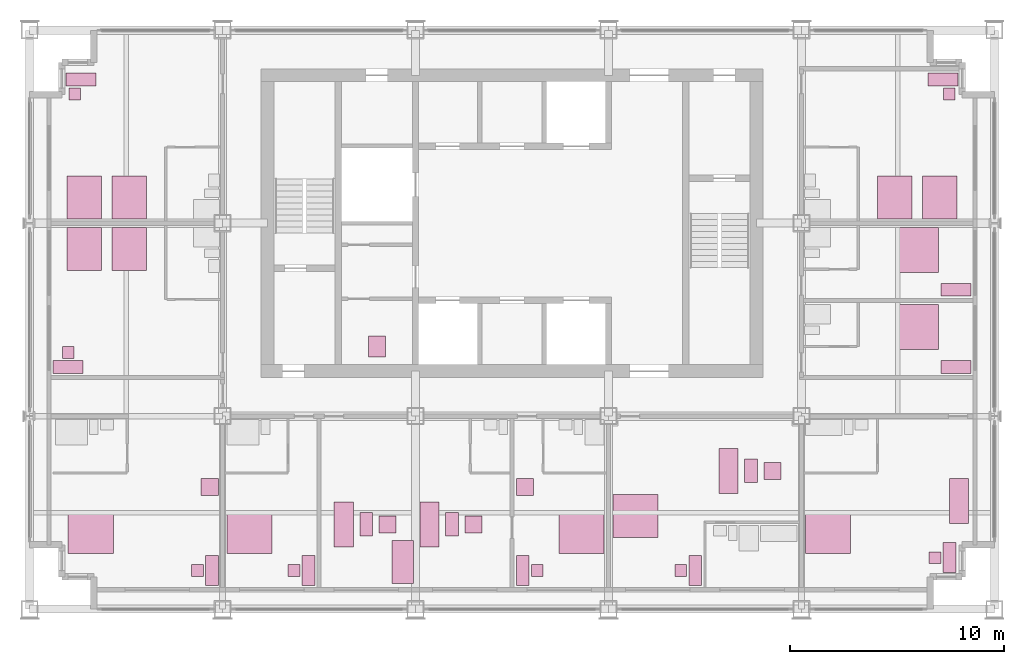
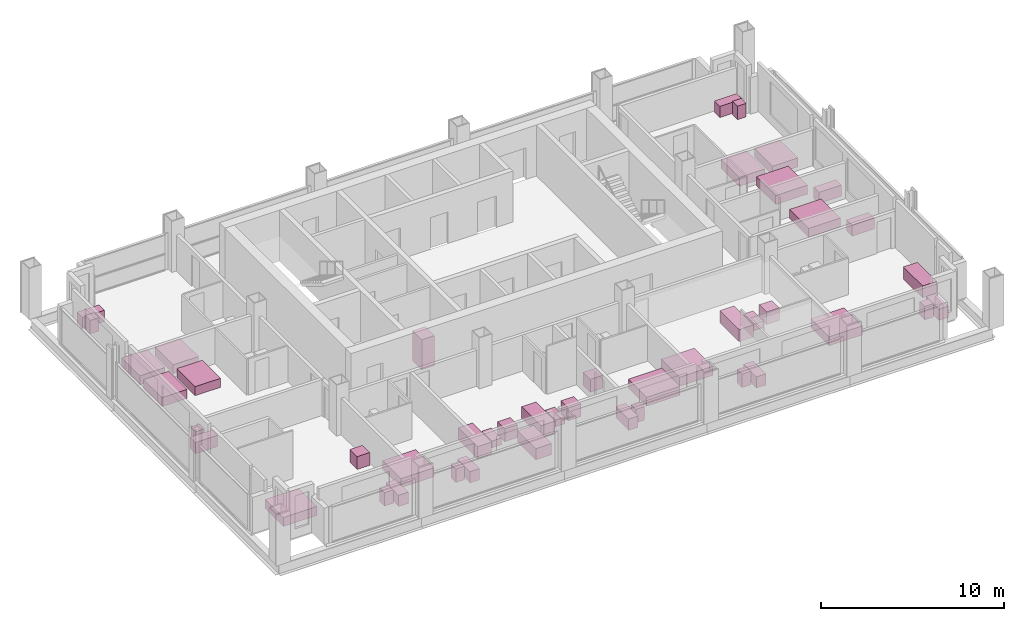
# One storey, part 13 of 13: 45 furniture elements.
"""IFC4 building model written with IfcOpenShell, lengths in metres."""

from ifc_helpers import new_model, si_unit, direction, frame, origin, origin_2d, place, context, subcontext, project, spatial, rectangle, extrude, element, save


model = new_model("IFC4")

# Units and contexts
model_context = context("Model", 3, precision=1e-05, world=origin(), true_north=direction((0.0, 1.0)))
body_context = subcontext(model_context, "Body", "Model", "MODEL_VIEW")
ifc_project = project(units=[si_unit("LENGTHUNIT", "METRE"), si_unit("AREAUNIT", "SQUARE_METRE"), si_unit("VOLUMEUNIT", "CUBIC_METRE"), si_unit("PLANEANGLEUNIT", "RADIAN"), si_unit("MASSUNIT", "GRAM", prefix="KILO")], contexts=[model_context])

# Site, building, storey
site_placement = place(None, origin())
site = spatial("IfcSite", under=ifc_project, at=site_placement, CompositionType="ELEMENT")
building_placement = place(site_placement, origin())
building = spatial("IfcBuilding", under=site, at=building_placement, Name="Loomwork Tower", CompositionType="ELEMENT")
storey_placement = place(building_placement, frame((0.0, 0.0, 197.800048828125)))
storey = spatial("IfcBuildingStorey", under=building, at=storey_placement, Name="L54", CompositionType="ELEMENT", Elevation=197.800048828125)

# Furniture
furniture_1_placement = place(storey_placement, frame((2.85009765625, 3.60009765625, 0.0), z_axis=(0.0, 0.0, 1.0), x_axis=(1.0, 0.0, 0.0)))
element("IfcFurniture", 1, at=furniture_1_placement, inside=storey, Name="King bed L54", PredefinedType="BED", context=body_context, shape_type="SweptSolid", body=[
    extrude(rectangle(XDim=2.10009765625, YDim=2.0, at=origin_2d()), origin(), (0.0, 0.0, 1.0), 0.60009765625),
])
furniture_2_placement = place(storey_placement, frame((8.5, 1.800048828125, 0.0), z_axis=(0.0, 0.0, 1.0), x_axis=(1.0, 0.0, 0.0)))
element("IfcFurniture", 2, at=furniture_2_placement, inside=storey, Name="Writing desk L54", PredefinedType="DESK", context=body_context, shape_type="SweptSolid", body=[
    extrude(rectangle(XDim=0.60009765625, YDim=1.39990234375, at=origin_2d()), origin(), (0.0, 0.0, 1.0), 0.75),
])
furniture_3_placement = place(storey_placement, frame((7.824951171875, 1.800048828125, 0.0), z_axis=(0.0, 0.0, 1.0), x_axis=(1.0, 0.0, 0.0)))
element("IfcFurniture", 3, at=furniture_3_placement, inside=storey, Name="Desk chair L54", PredefinedType="CHAIR", context=body_context, shape_type="SweptSolid", body=[
    extrude(rectangle(XDim=0.550048828125, YDim=0.550048828125, at=origin_2d()), origin(), (0.0, 0.0, 1.0), 0.89990234375),
])
furniture_4_placement = place(storey_placement, frame((8.39990234375, 5.699951171875, 0.0), z_axis=(0.0, 0.0, 1.0), x_axis=(1.0, 0.0, 0.0)))
element("IfcFurniture", 4, at=furniture_4_placement, inside=storey, Name="Lounge armchair L54", PredefinedType="CHAIR", context=body_context, shape_type="SweptSolid", body=[
    extrude(rectangle(XDim=0.800048828125, YDim=0.800048828125, at=origin_2d()), origin(), (0.0, 0.0, 1.0), 0.85009765625),
])
furniture_5_placement = place(storey_placement, frame((10.25, 3.60009765625, 0.0), z_axis=(0.0, 0.0, 1.0), x_axis=(1.0, 0.0, 0.0)))
element("IfcFurniture", 5, at=furniture_5_placement, inside=storey, Name="King bed L54", PredefinedType="BED", context=body_context, shape_type="SweptSolid", body=[
    extrude(rectangle(XDim=2.10009765625, YDim=2.0, at=origin_2d()), origin(), (0.0, 0.0, 1.0), 0.60009765625),
])
furniture_6_placement = place(storey_placement, frame((13.0, 1.800048828125, 0.0), z_axis=(0.0, 0.0, 1.0), x_axis=(1.0, 0.0, 0.0)))
element("IfcFurniture", 6, at=furniture_6_placement, inside=storey, Name="Writing desk L54", PredefinedType="DESK", context=body_context, shape_type="SweptSolid", body=[
    extrude(rectangle(XDim=0.60009765625, YDim=1.39990234375, at=origin_2d()), origin(), (0.0, 0.0, 1.0), 0.75),
])
furniture_7_placement = place(storey_placement, frame((12.324951171875, 1.800048828125, 0.0), z_axis=(0.0, 0.0, 1.0), x_axis=(1.0, 0.0, 0.0)))
element("IfcFurniture", 7, at=furniture_7_placement, inside=storey, Name="Desk chair L54", PredefinedType="CHAIR", context=body_context, shape_type="SweptSolid", body=[
    extrude(rectangle(XDim=0.550048828125, YDim=0.550048828125, at=origin_2d()), origin(), (0.0, 0.0, 1.0), 0.89990234375),
])
furniture_8_placement = place(storey_placement, frame((14.64990234375, 3.949951171875, 0.0), z_axis=(0.0, 0.0, 1.0), x_axis=(1.0, 0.0, 0.0)))
element("IfcFurniture", 8, at=furniture_8_placement, inside=storey, Name="Sofa L54", PredefinedType="SOFA", context=body_context, shape_type="SweptSolid", body=[
    extrude(rectangle(XDim=0.89990234375, YDim=2.10009765625, at=origin_2d()), origin(), (0.0, 0.0, 1.0), 0.800048828125),
])
furniture_9_placement = place(storey_placement, frame((15.699951171875, 3.949951171875, 0.0), z_axis=(0.0, 0.0, 1.0), x_axis=(1.0, 0.0, 0.0)))
element("IfcFurniture", 9, at=furniture_9_placement, inside=storey, Name="Coffee table L54", PredefinedType="TABLE", context=body_context, shape_type="SweptSolid", body=[
    extrude(rectangle(XDim=0.60009765625, YDim=1.10009765625, at=origin_2d()), origin(), (0.0, 0.0, 1.0), 0.449951171875),
])
furniture_10_placement = place(storey_placement, frame((16.699951171875, 3.949951171875, 0.0), z_axis=(0.0, 0.0, 1.0), x_axis=(1.0, 0.0, 0.0)))
element("IfcFurniture", 10, at=furniture_10_placement, inside=storey, Name="Lounge armchair L54", PredefinedType="CHAIR", context=body_context, shape_type="SweptSolid", body=[
    extrude(rectangle(XDim=0.800048828125, YDim=0.800048828125, at=origin_2d()), origin(), (0.0, 0.0, 1.0), 0.85009765625),
])
furniture_11_placement = place(storey_placement, frame((18.64990234375, 3.949951171875, 0.0), z_axis=(0.0, 0.0, 1.0), x_axis=(1.0, 0.0, 0.0)))
element("IfcFurniture", 11, at=furniture_11_placement, inside=storey, Name="Sofa L54", PredefinedType="SOFA", context=body_context, shape_type="SweptSolid", body=[
    extrude(rectangle(XDim=0.89990234375, YDim=2.10009765625, at=origin_2d()), origin(), (0.0, 0.0, 1.0), 0.800048828125),
])
furniture_12_placement = place(storey_placement, frame((19.699951171875, 3.949951171875, 0.0), z_axis=(0.0, 0.0, 1.0), x_axis=(1.0, 0.0, 0.0)))
element("IfcFurniture", 12, at=furniture_12_placement, inside=storey, Name="Coffee table L54", PredefinedType="TABLE", context=body_context, shape_type="SweptSolid", body=[
    extrude(rectangle(XDim=0.60009765625, YDim=1.10009765625, at=origin_2d()), origin(), (0.0, 0.0, 1.0), 0.449951171875),
])
furniture_13_placement = place(storey_placement, frame((20.699951171875, 3.949951171875, 0.0), z_axis=(0.0, 0.0, 1.0), x_axis=(1.0, 0.0, 0.0)))
element("IfcFurniture", 13, at=furniture_13_placement, inside=storey, Name="Lounge armchair L54", PredefinedType="CHAIR", context=body_context, shape_type="SweptSolid", body=[
    extrude(rectangle(XDim=0.800048828125, YDim=0.800048828125, at=origin_2d()), origin(), (0.0, 0.0, 1.0), 0.85009765625),
])
furniture_14_placement = place(storey_placement, frame((17.39990234375, 2.199951171875, 0.0), z_axis=(0.0, 0.0, 1.0), x_axis=(1.0, 0.0, 0.0)))
element("IfcFurniture", 14, at=furniture_14_placement, inside=storey, Name="Dining table L54", PredefinedType="TABLE", context=body_context, shape_type="SweptSolid", body=[
    extrude(rectangle(XDim=1.0, YDim=2.0, at=origin_2d()), origin(), (0.0, 0.0, 1.0), 0.75),
])
furniture_15_placement = place(storey_placement, frame((25.75, 3.60009765625, 0.0), z_axis=(0.0, 0.0, 1.0), x_axis=(1.0, 0.0, 0.0)))
element("IfcFurniture", 15, at=furniture_15_placement, inside=storey, Name="King bed L54", PredefinedType="BED", context=body_context, shape_type="SweptSolid", body=[
    extrude(rectangle(XDim=2.10009765625, YDim=2.0, at=origin_2d()), origin(), (0.0, 0.0, 1.0), 0.60009765625),
])
furniture_16_placement = place(storey_placement, frame((23.0, 1.800048828125, 0.0), z_axis=(0.0, 0.0, 1.0), x_axis=(1.0, 0.0, 0.0)))
element("IfcFurniture", 16, at=furniture_16_placement, inside=storey, Name="Writing desk L54", PredefinedType="DESK", context=body_context, shape_type="SweptSolid", body=[
    extrude(rectangle(XDim=0.60009765625, YDim=1.39990234375, at=origin_2d()), origin(), (0.0, 0.0, 1.0), 0.75),
])
furniture_17_placement = place(storey_placement, frame((23.675048828125, 1.800048828125, 0.0), z_axis=(0.0, 0.0, 1.0), x_axis=(1.0, 0.0, 0.0)))
element("IfcFurniture", 17, at=furniture_17_placement, inside=storey, Name="Desk chair L54", PredefinedType="CHAIR", context=body_context, shape_type="SweptSolid", body=[
    extrude(rectangle(XDim=0.550048828125, YDim=0.550048828125, at=origin_2d()), origin(), (0.0, 0.0, 1.0), 0.89990234375),
])
furniture_18_placement = place(storey_placement, frame((23.10009765625, 5.699951171875, 0.0), z_axis=(0.0, 0.0, 1.0), x_axis=(1.0, 0.0, 0.0)))
element("IfcFurniture", 18, at=furniture_18_placement, inside=storey, Name="Lounge armchair L54", PredefinedType="CHAIR", context=body_context, shape_type="SweptSolid", body=[
    extrude(rectangle(XDim=0.800048828125, YDim=0.800048828125, at=origin_2d()), origin(), (0.0, 0.0, 1.0), 0.85009765625),
])
furniture_19_placement = place(storey_placement, frame((28.25, 4.35009765625, 0.0), z_axis=(0.0, 0.0, 1.0), x_axis=(1.0, 0.0, 0.0)))
element("IfcFurniture", 19, at=furniture_19_placement, inside=storey, Name="King bed L54", PredefinedType="BED", context=body_context, shape_type="SweptSolid", body=[
    extrude(rectangle(XDim=2.10009765625, YDim=2.0, at=origin_2d()), origin(), (0.0, 0.0, 1.0), 0.60009765625),
])
furniture_20_placement = place(storey_placement, frame((31.050048828125, 1.800048828125, 0.0), z_axis=(0.0, 0.0, 1.0), x_axis=(1.0, 0.0, 0.0)))
element("IfcFurniture", 20, at=furniture_20_placement, inside=storey, Name="Writing desk L54", PredefinedType="DESK", context=body_context, shape_type="SweptSolid", body=[
    extrude(rectangle(XDim=0.60009765625, YDim=1.39990234375, at=origin_2d()), origin(), (0.0, 0.0, 1.0), 0.75),
])
furniture_21_placement = place(storey_placement, frame((30.375, 1.800048828125, 0.0), z_axis=(0.0, 0.0, 1.0), x_axis=(1.0, 0.0, 0.0)))
element("IfcFurniture", 21, at=furniture_21_placement, inside=storey, Name="Desk chair L54", PredefinedType="CHAIR", context=body_context, shape_type="SweptSolid", body=[
    extrude(rectangle(XDim=0.550048828125, YDim=0.550048828125, at=origin_2d()), origin(), (0.0, 0.0, 1.0), 0.89990234375),
])
furniture_22_placement = place(storey_placement, frame((32.60009765625, 6.449951171875, 0.0), z_axis=(0.0, 0.0, 1.0), x_axis=(1.0, 0.0, 0.0)))
element("IfcFurniture", 22, at=furniture_22_placement, inside=storey, Name="Sofa L54", PredefinedType="SOFA", context=body_context, shape_type="SweptSolid", body=[
    extrude(rectangle(XDim=0.89990234375, YDim=2.10009765625, at=origin_2d()), origin(), (0.0, 0.0, 1.0), 0.800048828125),
])
furniture_23_placement = place(storey_placement, frame((33.64990234375, 6.449951171875, 0.0), z_axis=(0.0, 0.0, 1.0), x_axis=(1.0, 0.0, 0.0)))
element("IfcFurniture", 23, at=furniture_23_placement, inside=storey, Name="Coffee table L54", PredefinedType="TABLE", context=body_context, shape_type="SweptSolid", body=[
    extrude(rectangle(XDim=0.60009765625, YDim=1.10009765625, at=origin_2d()), origin(), (0.0, 0.0, 1.0), 0.449951171875),
])
furniture_24_placement = place(storey_placement, frame((34.64990234375, 6.449951171875, 0.0), z_axis=(0.0, 0.0, 1.0), x_axis=(1.0, 0.0, 0.0)))
element("IfcFurniture", 24, at=furniture_24_placement, inside=storey, Name="Lounge armchair L54", PredefinedType="CHAIR", context=body_context, shape_type="SweptSolid", body=[
    extrude(rectangle(XDim=0.800048828125, YDim=0.800048828125, at=origin_2d()), origin(), (0.0, 0.0, 1.0), 0.85009765625),
])
furniture_25_placement = place(storey_placement, frame((37.25, 3.60009765625, 0.0), z_axis=(0.0, 0.0, 1.0), x_axis=(1.0, 0.0, 0.0)))
element("IfcFurniture", 25, at=furniture_25_placement, inside=storey, Name="King bed L54", PredefinedType="BED", context=body_context, shape_type="SweptSolid", body=[
    extrude(rectangle(XDim=2.10009765625, YDim=2.0, at=origin_2d()), origin(), (0.0, 0.0, 1.0), 0.60009765625),
])
furniture_26_placement = place(storey_placement, frame((42.89990234375, 2.39990234375, 0.0), z_axis=(0.0, 0.0, 1.0), x_axis=(1.0, 0.0, 0.0)))
element("IfcFurniture", 26, at=furniture_26_placement, inside=storey, Name="Writing desk L54", PredefinedType="DESK", context=body_context, shape_type="SweptSolid", body=[
    extrude(rectangle(XDim=0.60009765625, YDim=1.39990234375, at=origin_2d()), origin(), (0.0, 0.0, 1.0), 0.75),
])
furniture_27_placement = place(storey_placement, frame((42.22509765625, 2.39990234375, 0.0), z_axis=(0.0, 0.0, 1.0), x_axis=(1.0, 0.0, 0.0)))
element("IfcFurniture", 27, at=furniture_27_placement, inside=storey, Name="Desk chair L54", PredefinedType="CHAIR", context=body_context, shape_type="SweptSolid", body=[
    extrude(rectangle(XDim=0.550048828125, YDim=0.550048828125, at=origin_2d()), origin(), (0.0, 0.0, 1.0), 0.89990234375),
])
furniture_28_placement = place(storey_placement, frame((43.35009765625, 5.050048828125, 0.0), z_axis=(0.0, 0.0, 1.0), x_axis=(1.0, 0.0, 0.0)))
element("IfcFurniture", 28, at=furniture_28_placement, inside=storey, Name="Sofa L54", PredefinedType="SOFA", context=body_context, shape_type="SweptSolid", body=[
    extrude(rectangle(XDim=0.89990234375, YDim=2.10009765625, at=origin_2d()), origin(), (0.0, 0.0, 1.0), 0.800048828125),
])
for number, where, z_axis, x_axis, name in (
    (29, (4.64990234375, 16.800048828125, 0.0), (0.0, 0.0, 1.0), (1.0, 0.0, 0.0), "Queen bed L54"),
    (30, (2.550048828125, 16.800048828125, 0.0), (0.0, 0.0, 1.0), (1.0, 0.0, 0.0), "Queen bed L54"),
):
    element("IfcFurniture", number, at=place(storey_placement, frame(where, z_axis=z_axis, x_axis=x_axis)), inside=storey, Name=name, PredefinedType="BED", context=body_context, shape_type="SweptSolid", body=[
        extrude(rectangle(XDim=1.60009765625, YDim=2.0, at=origin_2d()), origin(), (0.0, 0.0, 1.0), 0.60009765625),
    ])
furniture_29_placement = place(storey_placement, frame((1.800048828125, 11.300048828125, 0.0), z_axis=(0.0, 0.0, 1.0), x_axis=(1.0, 0.0, 0.0)))
element("IfcFurniture", 31, at=furniture_29_placement, inside=storey, Name="Writing desk L54", PredefinedType="DESK", context=body_context, shape_type="SweptSolid", body=[
    extrude(rectangle(XDim=1.39990234375, YDim=0.60009765625, at=origin_2d()), origin(), (0.0, 0.0, 1.0), 0.75),
])
furniture_30_placement = place(storey_placement, frame((1.800048828125, 11.97509765625, 0.0), z_axis=(0.0, 0.0, 1.0), x_axis=(1.0, 0.0, 0.0)))
element("IfcFurniture", 32, at=furniture_30_placement, inside=storey, Name="Desk chair L54", PredefinedType="CHAIR", context=body_context, shape_type="SweptSolid", body=[
    extrude(rectangle(XDim=0.550048828125, YDim=0.550048828125, at=origin_2d()), origin(), (0.0, 0.0, 1.0), 0.89990234375),
])
for number, where, z_axis, x_axis, name in (
    (33, (4.64990234375, 19.199951171875, 0.0), (0.0, 0.0, 1.0), (1.0, 0.0, 0.0), "Queen bed L54"),
    (34, (2.550048828125, 19.199951171875, 0.0), (0.0, 0.0, 1.0), (1.0, 0.0, 0.0), "Queen bed L54"),
):
    element("IfcFurniture", number, at=place(storey_placement, frame(where, z_axis=z_axis, x_axis=x_axis)), inside=storey, Name=name, PredefinedType="BED", context=body_context, shape_type="SweptSolid", body=[
        extrude(rectangle(XDim=1.60009765625, YDim=2.0, at=origin_2d()), origin(), (0.0, 0.0, 1.0), 0.60009765625),
    ])
furniture_31_placement = place(storey_placement, frame((2.39990234375, 24.699951171875, 0.0), z_axis=(0.0, 0.0, 1.0), x_axis=(1.0, 0.0, 0.0)))
element("IfcFurniture", 35, at=furniture_31_placement, inside=storey, Name="Writing desk L54", PredefinedType="DESK", context=body_context, shape_type="SweptSolid", body=[
    extrude(rectangle(XDim=1.39990234375, YDim=0.60009765625, at=origin_2d()), origin(), (0.0, 0.0, 1.0), 0.75),
])
furniture_32_placement = place(storey_placement, frame((2.10009765625, 24.02490234375, 0.0), z_axis=(0.0, 0.0, 1.0), x_axis=(1.0, 0.0, 0.0)))
element("IfcFurniture", 36, at=furniture_32_placement, inside=storey, Name="Desk chair L54", PredefinedType="CHAIR", context=body_context, shape_type="SweptSolid", body=[
    extrude(rectangle(XDim=0.550048828125, YDim=0.550048828125, at=origin_2d()), origin(), (0.0, 0.0, 1.0), 0.89990234375),
])
furniture_33_placement = place(storey_placement, frame((41.39990234375, 13.14990234375, 0.0), z_axis=(0.0, 0.0, 1.0), x_axis=(1.0, 0.0, 0.0)))
element("IfcFurniture", 37, at=furniture_33_placement, inside=storey, Name="King bed L54", PredefinedType="BED", context=body_context, shape_type="SweptSolid", body=[
    extrude(rectangle(XDim=2.0, YDim=2.10009765625, at=origin_2d()), origin(), (0.0, 0.0, 1.0), 0.60009765625),
])
furniture_34_placement = place(storey_placement, frame((43.199951171875, 11.300048828125, 0.0), z_axis=(0.0, 0.0, 1.0), x_axis=(1.0, 0.0, 0.0)))
element("IfcFurniture", 38, at=furniture_34_placement, inside=storey, Name="Writing desk L54", PredefinedType="DESK", context=body_context, shape_type="SweptSolid", body=[
    extrude(rectangle(XDim=1.39990234375, YDim=0.60009765625, at=origin_2d()), origin(), (0.0, 0.0, 1.0), 0.75),
])
furniture_35_placement = place(storey_placement, frame((41.39990234375, 16.75, 0.0), z_axis=(0.0, 0.0, 1.0), x_axis=(1.0, 0.0, 0.0)))
element("IfcFurniture", 39, at=furniture_35_placement, inside=storey, Name="King bed L54", PredefinedType="BED", context=body_context, shape_type="SweptSolid", body=[
    extrude(rectangle(XDim=2.0, YDim=2.10009765625, at=origin_2d()), origin(), (0.0, 0.0, 1.0), 0.60009765625),
])
furniture_36_placement = place(storey_placement, frame((43.199951171875, 14.89990234375, 0.0), z_axis=(0.0, 0.0, 1.0), x_axis=(1.0, 0.0, 0.0)))
element("IfcFurniture", 40, at=furniture_36_placement, inside=storey, Name="Writing desk L54", PredefinedType="DESK", context=body_context, shape_type="SweptSolid", body=[
    extrude(rectangle(XDim=1.39990234375, YDim=0.60009765625, at=origin_2d()), origin(), (0.0, 0.0, 1.0), 0.75),
])
for number, where, z_axis, x_axis, name in (
    (41, (40.35009765625, 19.199951171875, 0.0), (0.0, 0.0, 1.0), (1.0, 0.0, 0.0), "Queen bed L54"),
    (42, (42.449951171875, 19.199951171875, 0.0), (0.0, 0.0, 1.0), (1.0, 0.0, 0.0), "Queen bed L54"),
):
    element("IfcFurniture", number, at=place(storey_placement, frame(where, z_axis=z_axis, x_axis=x_axis)), inside=storey, Name=name, PredefinedType="BED", context=body_context, shape_type="SweptSolid", body=[
        extrude(rectangle(XDim=1.60009765625, YDim=2.0, at=origin_2d()), origin(), (0.0, 0.0, 1.0), 0.60009765625),
    ])
furniture_37_placement = place(storey_placement, frame((42.60009765625, 24.699951171875, 0.0), z_axis=(0.0, 0.0, 1.0), x_axis=(1.0, 0.0, 0.0)))
element("IfcFurniture", 43, at=furniture_37_placement, inside=storey, Name="Writing desk L54", PredefinedType="DESK", context=body_context, shape_type="SweptSolid", body=[
    extrude(rectangle(XDim=1.39990234375, YDim=0.60009765625, at=origin_2d()), origin(), (0.0, 0.0, 1.0), 0.75),
])
furniture_38_placement = place(storey_placement, frame((42.89990234375, 24.02490234375, 0.0), z_axis=(0.0, 0.0, 1.0), x_axis=(1.0, 0.0, 0.0)))
element("IfcFurniture", 44, at=furniture_38_placement, inside=storey, Name="Desk chair L54", PredefinedType="CHAIR", context=body_context, shape_type="SweptSolid", body=[
    extrude(rectangle(XDim=0.550048828125, YDim=0.550048828125, at=origin_2d()), origin(), (0.0, 0.0, 1.0), 0.89990234375),
])
furniture_39_placement = place(storey_placement, frame((16.199951171875, 12.25, 0.0), z_axis=(0.0, 0.0, 1.0), x_axis=(1.0, 0.0, 0.0)))
element("IfcFurniture", 45, at=furniture_39_placement, inside=storey, Name="Data cabinet L54", ObjectType="DATA CABINET", PredefinedType="USERDEFINED", context=body_context, shape_type="SweptSolid", body=[
    extrude(rectangle(XDim=0.800048828125, YDim=1.0, at=origin_2d()), origin(), (0.0, 0.0, 1.0), 2.0),
])

save(model, "model.ifc")
